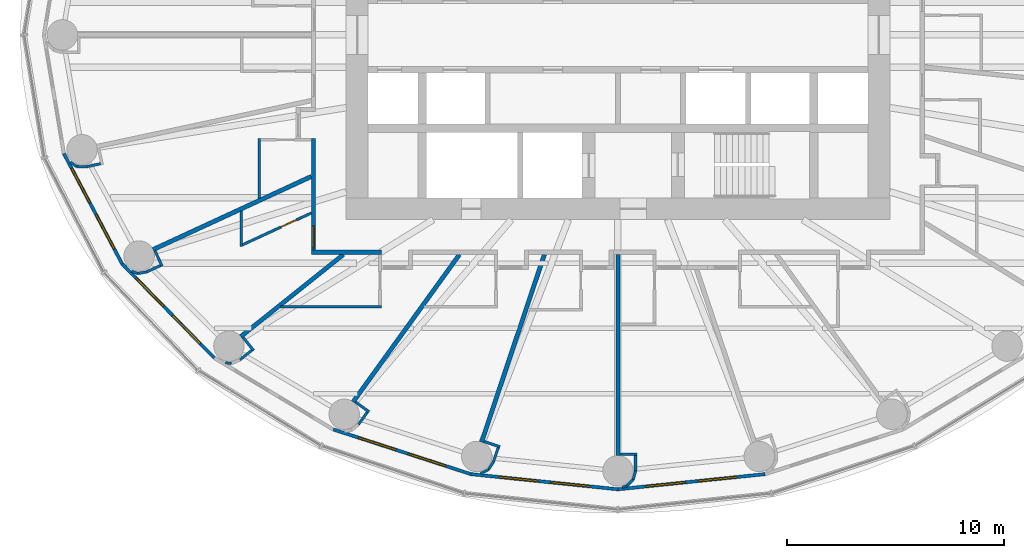
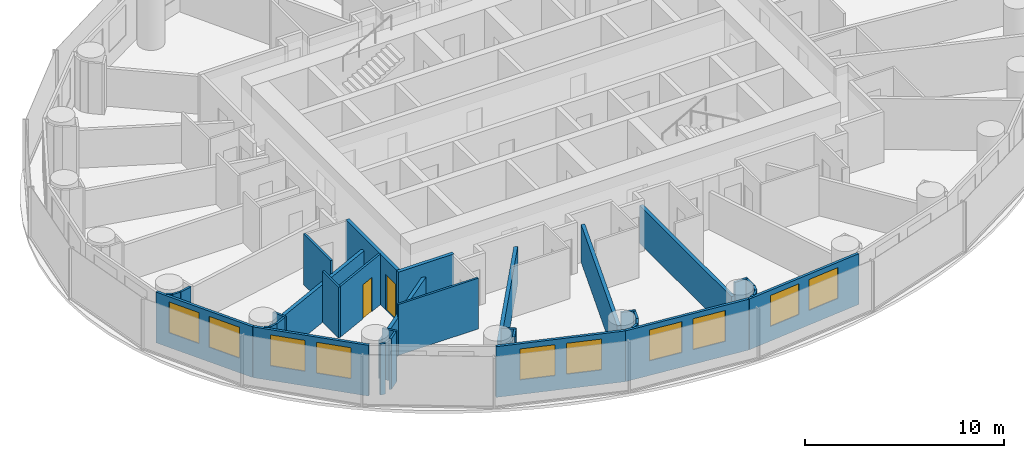
# One storey, part 6 of 14: 37 walls, 10 windows, 2 doors, 12 openings.
"""IFC4 building model written with IfcOpenShell, lengths in metres."""

import ifcopenshell
import ifcopenshell.guid

model = None  # the IFC model being written
_history = None  # IfcOwnerHistory: only IFC2X3 demands one
_inside = {}  # id of a spatial element -> (the spatial element, [elements in it])
_under = {}  # id of a project, library or spatial element -> (it, [spatial elements below it])
_declared = {}  # id of a project -> (the project, [libraries it declares])
_typed = {}  # id of a type object -> (the type object, [elements of that type])
_made_of = {}  # id of a material, layer set ... -> (it, [elements and type objects made of it])


def new_model(schema):
    """Start an empty IFC model of exactly this schema.

    Asked for "IFC4X3", IfcOpenShell would pick the latest addendum, in which some entities
    have other attributes; the version numbers below select the first issue.
    IFC2X3 requires an IfcOwnerHistory on every rooted entity: one is made here for all.
    """
    global model, _history
    if schema == "IFC4X3":
        model = ifcopenshell.file(schema_version=(4, 3, 0, 0))
    else:
        model = ifcopenshell.file(schema=schema)
    _inside.clear()
    _under.clear()
    _declared.clear()
    _typed.clear()
    _made_of.clear()
    _history = None
    if model.schema == "IFC2X3":
        org = make("IfcOrganization", Name="unknown")
        user = make(
            "IfcPersonAndOrganization",
            ThePerson=make("IfcPerson", FamilyName="unknown"),
            TheOrganization=org,
        )
        app = make(
            "IfcApplication",
            ApplicationDeveloper=org,
            Version="unknown",
            ApplicationFullName="unknown",
            ApplicationIdentifier="unknown",
        )
        _history = make(
            "IfcOwnerHistory",
            OwningUser=user,
            OwningApplication=app,
            ChangeAction="ADDED",
            CreationDate=0,
        )
    return model


def make(cls, **values):
    """One entity of the class cls with the attributes given. An attribute that is None is left unset."""
    return model.create_entity(
        cls, **{name: value for name, value in values.items() if value is not None}
    )


def rooted(cls, **values):
    """An entity with a GlobalId (a new one), such as an element, a storey or a relation."""
    return make(cls, GlobalId=ifcopenshell.guid.new(), OwnerHistory=_history, **values)


def si_unit(unit_type, name, prefix=None):
    """IfcSIUnit, for example si_unit("LENGTHUNIT", "METRE", prefix="MILLI")."""
    return make("IfcSIUnit", UnitType=unit_type, Prefix=prefix, Name=name)


def assignment(units):
    """IfcUnitAssignment: the units of a project."""
    return None if units is None else make("IfcUnitAssignment", Units=units)


def point(xyz):
    """IfcCartesianPoint."""
    return None if xyz is None else make("IfcCartesianPoint", Coordinates=xyz)


def direction(xyz):
    """IfcDirection."""
    return None if xyz is None else make("IfcDirection", DirectionRatios=xyz)


def frame(location, z_axis=None, x_axis=None):
    """IfcAxis2Placement3D, a coordinate frame: its origin and axes. An axis left out is left unset."""
    return make(
        "IfcAxis2Placement3D",
        Location=point(location),
        Axis=direction(z_axis),
        RefDirection=direction(x_axis),
    )


def frame_2d(location, x_axis=None):
    """IfcAxis2Placement2D, a coordinate frame in the plane: its origin and x axis."""
    return make(
        "IfcAxis2Placement2D", Location=point(location), RefDirection=direction(x_axis)
    )


def origin():
    """The frame at (0, 0, 0) with its axes left unset."""
    return frame((0.0, 0.0, 0.0))


def place(relative_to, where):
    """IfcLocalPlacement: puts the frame where relative to a parent placement (None: the world)."""
    return make(
        "IfcLocalPlacement", PlacementRelTo=relative_to, RelativePlacement=where
    )


def context(
    kind, dimensions, precision=None, world=None, true_north=None, identifier=None
):
    """IfcGeometricRepresentationContext, for example the 3D "Model" context."""
    return make(
        "IfcGeometricRepresentationContext",
        ContextIdentifier=identifier,
        ContextType=kind,
        CoordinateSpaceDimension=dimensions,
        Precision=precision,
        WorldCoordinateSystem=world,
        TrueNorth=true_north,
    )


def subcontext(parent, identifier, kind, view, scale=None):
    """IfcGeometricRepresentationSubContext, for example "Body" below "Model"."""
    return make(
        "IfcGeometricRepresentationSubContext",
        ContextIdentifier=identifier,
        ContextType=kind,
        ParentContext=parent,
        TargetScale=scale,
        TargetView=view,
    )


def project(units=None, contexts=None):
    """IfcProject with its units and contexts."""
    return rooted(
        "IfcProject",
        Name="project",
        RepresentationContexts=contexts,
        UnitsInContext=assignment(units),
    )


def spatial(cls, under=None, at=None, **own):
    """A site, building, storey or space (cls), placed at a placement, below another one or the project."""
    s = rooted(cls, ObjectPlacement=at, **own)
    if under is not None:
        _under.setdefault(under.id(), (under, []))[1].append(s)
    return s


def profile(cls, at=None, kind="AREA", **sizes):
    """A parametric profile (cls). Its sizes go by their IFC names, for example OverallWidth=200.0."""
    return make(cls, ProfileType=kind, Position=at, **sizes)


def rectangle(**sizes):
    """IfcRectangleProfileDef."""
    return profile("IfcRectangleProfileDef", **sizes)


def extrude(swept, where, along, depth):
    """IfcExtrudedAreaSolid: the profile swept, set in the frame where, extruded along a direction by depth."""
    return make(
        "IfcExtrudedAreaSolid",
        SweptArea=swept,
        Position=where,
        ExtrudedDirection=direction(along),
        Depth=depth,
    )


def shape(context_of_items, identifier, shape_type, items):
    """IfcShapeRepresentation: the items that make up one representation, for example the "Body"."""
    return make(
        "IfcShapeRepresentation",
        ContextOfItems=context_of_items,
        RepresentationIdentifier=identifier,
        RepresentationType=shape_type,
        Items=items,
    )


def material(Name=None, Category=None):
    """IfcMaterial."""
    return make("IfcMaterial", Name=Name, Category=Category)


def layer(
    of_material, thickness, ventilated=None, Name=None, Category=None, Priority=None
):
    """IfcMaterialLayer: one layer of a wall or slab, of a material (None: an air gap)."""
    return make(
        "IfcMaterialLayer",
        Material=of_material,
        LayerThickness=thickness,
        IsVentilated=ventilated,
        Name=Name,
        Category=Category,
        Priority=Priority,
    )


def layer_set(layers, Name=None):
    """IfcMaterialLayerSet."""
    return make("IfcMaterialLayerSet", MaterialLayers=layers, LayerSetName=Name)


def made_of(thing, what):
    """Note that an element or type object is made of a material, layer set ...; save() writes the relation."""
    if what is not None:
        _made_of.setdefault(what.id(), (what, []))[1].append(thing)
    return thing


def type_object(cls, material=None, **own):
    """A type object (cls), such as IfcWallType, which elements share."""
    return made_of(rooted(cls, **own), material)


def element(
    cls,
    number,
    at=None,
    inside=None,
    cuts=None,
    type_object=None,
    material=None,
    context=None,
    identifier="Body",
    shape_type=None,
    held_by="IfcProductDefinitionShape",
    body=None,
    shapes=None,
    **own,
):
    """One element of the class cls, such as IfcWall. Its Tag is "e" and its number.

    at: its placement. inside: the storey or other place that contains it. cuts: it is an
    opening in that element (IfcRelVoidsElement). A single representation is given by context,
    identifier, shape_type and body (its items); several are given by shapes. held_by: the class
    of the entity that holds the representations. save() writes the other relations.
    """
    e = rooted(cls, Tag="e%d" % number, ObjectPlacement=at, **own)
    if body is not None:
        shapes = [shape(context, identifier, shape_type, body)]
    if shapes is not None:
        e.Representation = make(held_by, Representations=shapes)
    if inside is not None:
        _inside.setdefault(inside.id(), (inside, []))[1].append(e)
    if cuts is not None:
        rooted(
            "IfcRelVoidsElement", RelatingBuildingElement=cuts, RelatedOpeningElement=e
        )
    if type_object is not None:
        _typed.setdefault(type_object.id(), (type_object, []))[1].append(e)
    return made_of(e, material)


def fill(opening, filler):
    """IfcRelFillsElement: the door or window that sits in an opening."""
    return rooted(
        "IfcRelFillsElement",
        RelatingOpeningElement=opening,
        RelatedBuildingElement=filler,
    )


def aggregate(whole, parts):
    """IfcRelAggregates: a whole, such as a stair, and the parts it consists of."""
    return rooted("IfcRelAggregates", RelatingObject=whole, RelatedObjects=parts)


def save(model, path):
    """Write the relations noted so far, then the file.

    IfcRelAggregates (storeys below a building ...), IfcRelContainedInSpatialStructure (elements
    in a storey), IfcRelDefinesByType, IfcRelAssociatesMaterial and IfcRelDeclares: one each for
    every whole, place, type object, material and project.
    """
    for whole, parts in _under.values():
        aggregate(whole, parts)
    for where, things in _inside.values():
        rooted(
            "IfcRelContainedInSpatialStructure",
            RelatedElements=things,
            RelatingStructure=where,
        )
    for kind, things in _typed.values():
        rooted("IfcRelDefinesByType", RelatedObjects=things, RelatingType=kind)
    for what, things in _made_of.values():
        rooted("IfcRelAssociatesMaterial", RelatedObjects=things, RelatingMaterial=what)
    for by, libraries in _declared.values():
        rooted("IfcRelDeclares", RelatingContext=by, RelatedDefinitions=libraries)
    model.write(path)


model = new_model("IFC4")

# Units and contexts
model_context = context("Model", 3, precision=1e-05, world=origin(), true_north=direction((0.0, 1.0)))
body_context = subcontext(model_context, "Body", "Model", "MODEL_VIEW")
ifc_project = project(units=[si_unit("LENGTHUNIT", "METRE"), si_unit("AREAUNIT", "SQUARE_METRE"), si_unit("VOLUMEUNIT", "CUBIC_METRE"), si_unit("PLANEANGLEUNIT", "RADIAN"), si_unit("MASSUNIT", "GRAM", prefix="KILO")], contexts=[model_context])

# Site, building, storey
site_placement = place(None, origin())
site = spatial("IfcSite", under=ifc_project, at=site_placement, CompositionType="ELEMENT")
building_placement = place(site_placement, origin())
building = spatial("IfcBuilding", under=site, at=building_placement, Name="Hankou Lantern Tower", CompositionType="ELEMENT")
storey_placement = place(building_placement, frame((0.0, 0.0, 54.0)))
storey = spatial("IfcBuildingStorey", under=building, at=storey_placement, Name="L12", CompositionType="ELEMENT", Elevation=54.0)

# Wall, openings, windows
ifc_material_1 = material(Name="Aluminium spandrel panel on steel studs", Category="steel")
ifc_layer_1 = layer(ifc_material_1, 0.14990234375)
ifc_layer_set_1 = layer_set([ifc_layer_1], Name="Aluminium spandrel panel on steel studs")
wall_type_1 = type_object("IfcWallType", Name="EW1 INNER SKIN WALL 150", PredefinedType="ELEMENTEDWALL", material=ifc_layer_set_1)
wall_1_placement = place(storey_placement, frame((-25.482421875, -5.46240234375, 0.0), z_axis=(0.0, 0.0, 1.0), x_axis=(0.467296867008, -0.884100468321, 0.0)))
wall_1 = element("IfcWall", 1, at=wall_1_placement, inside=storey, type_object=wall_type_1, Name="Inner skin R14-R15 L12", PredefinedType="ELEMENTEDWALL", context=body_context, shape_type="SweptSolid", body=[
    extrude(rectangle(XDim=5.734375, YDim=0.14990234375, at=frame_2d((2.8671875, 0.0))), origin(), (0.0, 0.0, 1.0), 3.1201171875),
])
opening_1_placement = place(wall_1_placement, frame((0.76708984375, 0.0, 0.89990234375)))
opening_1 = element("IfcOpeningElement", 2, at=opening_1_placement, cuts=wall_1, Name="Opening W1", PredefinedType="OPENING", context=body_context, shape_type="SweptSolid", body=[
    extrude(rectangle(XDim=1.800048828125, YDim=1.89990234375, at=frame_2d((0.89990234375, 0.949951171875))), frame((0.0, 0.0849609375, 0.0), z_axis=(0.0, -1.0, 0.0), x_axis=(1.0, 0.0, 0.0)), (0.0, 0.0, 1.0), 0.169921875),
])
opening_2_placement = place(wall_1_placement, frame((3.167236328125, 0.0, 0.89990234375)))
opening_2 = element("IfcOpeningElement", 3, at=opening_2_placement, cuts=wall_1, Name="Opening W1", PredefinedType="OPENING", context=body_context, shape_type="SweptSolid", body=[
    extrude(rectangle(XDim=1.800048828125, YDim=1.89990234375, at=frame_2d((0.89990234375, 0.949951171875))), frame((0.0, 0.0849609375, 0.0), z_axis=(0.0, -1.0, 0.0), x_axis=(1.0, 0.0, 0.0)), (0.0, 0.0, 1.0), 0.169921875),
])
ifc_material_2 = material(Name="Aluminium framed double glazed window", Category="aluminium")
window_type = type_object("IfcWindowType", Name="W1 GUEST ROOM WINDOW 1800X1900", PartitioningType="DOUBLE_PANEL_VERTICAL", PredefinedType="WINDOW", material=ifc_material_2)
window_1_placement = place(opening_1_placement, origin())
window_1 = element("IfcWindow", 4, at=window_1_placement, inside=storey, type_object=window_type, Name="Window R14.1 L12", OverallHeight=1.89990234375, OverallWidth=1.800048828125, PartitioningType="SINGLE_PANEL", PredefinedType="WINDOW", context=body_context, shape_type="SweptSolid", body=[
    extrude(rectangle(XDim=1.800048828125, YDim=1.89990234375, at=frame_2d((0.89990234375, 0.949951171875))), frame((0.0, 0.030029296875, 0.0), z_axis=(0.0, -1.0, 0.0), x_axis=(1.0, 0.0, 0.0)), (0.0, 0.0, 1.0), 0.06005859375),
])
fill(opening_1, window_1)
window_2_placement = place(opening_2_placement, origin())
window_2 = element("IfcWindow", 5, at=window_2_placement, inside=storey, type_object=window_type, Name="Window R14.2 L12", OverallHeight=1.89990234375, OverallWidth=1.800048828125, PartitioningType="SINGLE_PANEL", PredefinedType="WINDOW", context=body_context, shape_type="SweptSolid", body=[
    extrude(rectangle(XDim=1.800048828125, YDim=1.89990234375, at=frame_2d((0.89990234375, 0.949951171875))), frame((0.0, 0.030029296875, 0.0), z_axis=(0.0, -1.0, 0.0), x_axis=(1.0, 0.0, 0.0)), (0.0, 0.0, 1.0), 0.06005859375),
])
fill(opening_2, window_2)

wall_2_placement = place(storey_placement, frame((-22.802734375, -10.5322265625, 0.0), z_axis=(0.0, 0.0, 1.0), x_axis=(0.699602905915, -0.714531856557, 0.0)))
wall_2 = element("IfcWall", 6, at=wall_2_placement, inside=storey, type_object=wall_type_1, Name="Inner skin R15-R16 L12", PredefinedType="ELEMENTEDWALL", context=body_context, shape_type="SweptSolid", body=[
    extrude(rectangle(XDim=6.05078125, YDim=0.14990234375, at=frame_2d((3.025390625, 0.0))), origin(), (0.0, 0.0, 1.0), 3.1201171875),
])
opening_3_placement = place(wall_2_placement, frame((0.925537109375, 0.0, 0.89990234375)))
opening_3 = element("IfcOpeningElement", 7, at=opening_3_placement, cuts=wall_2, Name="Opening W1", PredefinedType="OPENING", context=body_context, shape_type="SweptSolid", body=[
    extrude(rectangle(XDim=1.800048828125, YDim=1.89990234375, at=frame_2d((0.89990234375, 0.949951171875))), frame((0.0, 0.0849609375, 0.0), z_axis=(0.0, -1.0, 0.0), x_axis=(1.0, 0.0, 0.0)), (0.0, 0.0, 1.0), 0.169921875),
])
opening_4_placement = place(wall_2_placement, frame((3.325439453125, 0.0, 0.89990234375)))
opening_4 = element("IfcOpeningElement", 8, at=opening_4_placement, cuts=wall_2, Name="Opening W1", PredefinedType="OPENING", context=body_context, shape_type="SweptSolid", body=[
    extrude(rectangle(XDim=1.800048828125, YDim=1.89990234375, at=frame_2d((0.89990234375, 0.949951171875))), frame((0.0, 0.0849609375, 0.0), z_axis=(0.0, -1.0, 0.0), x_axis=(1.0, 0.0, 0.0)), (0.0, 0.0, 1.0), 0.169921875),
])
window_3_placement = place(opening_3_placement, origin())
window_3 = element("IfcWindow", 9, at=window_3_placement, inside=storey, type_object=window_type, Name="Window R15.1 L12", OverallHeight=1.89990234375, OverallWidth=1.800048828125, PartitioningType="SINGLE_PANEL", PredefinedType="WINDOW", context=body_context, shape_type="SweptSolid", body=[
    extrude(rectangle(XDim=1.800048828125, YDim=1.89990234375, at=frame_2d((0.89990234375, 0.949951171875))), frame((0.0, 0.030029296875, 0.0), z_axis=(0.0, -1.0, 0.0), x_axis=(1.0, 0.0, 0.0)), (0.0, 0.0, 1.0), 0.06005859375),
])
fill(opening_3, window_3)
window_4_placement = place(opening_4_placement, origin())
window_4 = element("IfcWindow", 10, at=window_4_placement, inside=storey, type_object=window_type, Name="Window R15.2 L12", OverallHeight=1.89990234375, OverallWidth=1.800048828125, PartitioningType="SINGLE_PANEL", PredefinedType="WINDOW", context=body_context, shape_type="SweptSolid", body=[
    extrude(rectangle(XDim=1.800048828125, YDim=1.89990234375, at=frame_2d((0.89990234375, 0.949951171875))), frame((0.0, 0.030029296875, 0.0), z_axis=(0.0, -1.0, 0.0), x_axis=(1.0, 0.0, 0.0)), (0.0, 0.0, 1.0), 0.06005859375),
])
fill(opening_4, window_4)

wall_3_placement = place(storey_placement, frame((-13.096435546875, -18.14697265625, 0.0), z_axis=(0.0, 0.0, 1.0), x_axis=(0.951137534625, -0.308767534285, 0.0)))
wall_3 = element("IfcWall", 11, at=wall_3_placement, inside=storey, type_object=wall_type_1, Name="Inner skin R17-R18 L12", PredefinedType="ELEMENTEDWALL", context=body_context, shape_type="SweptSolid", body=[
    extrude(rectangle(XDim=6.6552734375, YDim=0.14990234375, at=frame_2d((3.32763671875, 0.0))), origin(), (0.0, 0.0, 1.0), 3.1201171875),
])
opening_5_placement = place(wall_3_placement, frame((1.2275390625, 0.0, 0.89990234375)))
opening_5 = element("IfcOpeningElement", 12, at=opening_5_placement, cuts=wall_3, Name="Opening W1", PredefinedType="OPENING", context=body_context, shape_type="SweptSolid", body=[
    extrude(rectangle(XDim=1.800048828125, YDim=1.89990234375, at=frame_2d((0.89990234375, 0.949951171875))), frame((0.0, 0.0849609375, 0.0), z_axis=(0.0, -1.0, 0.0), x_axis=(1.0, 0.0, 0.0)), (0.0, 0.0, 1.0), 0.169921875),
])
opening_6_placement = place(wall_3_placement, frame((3.627685546875, 0.0, 0.89990234375)))
opening_6 = element("IfcOpeningElement", 13, at=opening_6_placement, cuts=wall_3, Name="Opening W1", PredefinedType="OPENING", context=body_context, shape_type="SweptSolid", body=[
    extrude(rectangle(XDim=1.800048828125, YDim=1.89990234375, at=frame_2d((0.89990234375, 0.949951171875))), frame((0.0, 0.0849609375, 0.0), z_axis=(0.0, -1.0, 0.0), x_axis=(1.0, 0.0, 0.0)), (0.0, 0.0, 1.0), 0.169921875),
])
window_5_placement = place(opening_5_placement, origin())
window_5 = element("IfcWindow", 14, at=window_5_placement, inside=storey, type_object=window_type, Name="Window R17.1 L12", OverallHeight=1.89990234375, OverallWidth=1.800048828125, PartitioningType="SINGLE_PANEL", PredefinedType="WINDOW", context=body_context, shape_type="SweptSolid", body=[
    extrude(rectangle(XDim=1.800048828125, YDim=1.89990234375, at=frame_2d((0.89990234375, 0.949951171875))), frame((0.0, 0.030029296875, 0.0), z_axis=(0.0, -1.0, 0.0), x_axis=(1.0, 0.0, 0.0)), (0.0, 0.0, 1.0), 0.06005859375),
])
fill(opening_5, window_5)
window_6_placement = place(opening_6_placement, origin())
window_6 = element("IfcWindow", 15, at=window_6_placement, inside=storey, type_object=window_type, Name="Window R17.2 L12", OverallHeight=1.89990234375, OverallWidth=1.800048828125, PartitioningType="SINGLE_PANEL", PredefinedType="WINDOW", context=body_context, shape_type="SweptSolid", body=[
    extrude(rectangle(XDim=1.800048828125, YDim=1.89990234375, at=frame_2d((0.89990234375, 0.949951171875))), frame((0.0, 0.030029296875, 0.0), z_axis=(0.0, -1.0, 0.0), x_axis=(1.0, 0.0, 0.0)), (0.0, 0.0, 1.0), 0.06005859375),
])
fill(opening_6, window_6)

wall_4_placement = place(storey_placement, frame((-6.766357421875, -20.201904296875, 0.0), z_axis=(0.0, 0.0, 1.0), x_axis=(0.994721394369, -0.102612609291, 0.0)))
wall_4 = element("IfcWall", 16, at=wall_4_placement, inside=storey, type_object=wall_type_1, Name="Inner skin R18-R19 L12", PredefinedType="ELEMENTEDWALL", context=body_context, shape_type="SweptSolid", body=[
    extrude(rectangle(XDim=6.80224609375, YDim=0.14990234375, at=frame_2d((3.401123046875, 0.0))), origin(), (0.0, 0.0, 1.0), 3.1201171875),
])
opening_7_placement = place(wall_4_placement, frame((1.301025390625, 0.0, 0.89990234375)))
opening_7 = element("IfcOpeningElement", 17, at=opening_7_placement, cuts=wall_4, Name="Opening W1", PredefinedType="OPENING", context=body_context, shape_type="SweptSolid", body=[
    extrude(rectangle(XDim=1.800048828125, YDim=1.89990234375, at=frame_2d((0.89990234375, 0.949951171875))), frame((0.0, 0.0849609375, 0.0), z_axis=(0.0, -1.0, 0.0), x_axis=(1.0, 0.0, 0.0)), (0.0, 0.0, 1.0), 0.169921875),
])
opening_8_placement = place(wall_4_placement, frame((3.701171875, 0.0, 0.89990234375)))
opening_8 = element("IfcOpeningElement", 18, at=opening_8_placement, cuts=wall_4, Name="Opening W1", PredefinedType="OPENING", context=body_context, shape_type="SweptSolid", body=[
    extrude(rectangle(XDim=1.800048828125, YDim=1.89990234375, at=frame_2d((0.89990234375, 0.949951171875))), frame((0.0, 0.0849609375, 0.0), z_axis=(0.0, -1.0, 0.0), x_axis=(1.0, 0.0, 0.0)), (0.0, 0.0, 1.0), 0.169921875),
])
window_7_placement = place(opening_7_placement, origin())
window_7 = element("IfcWindow", 19, at=window_7_placement, inside=storey, type_object=window_type, Name="Window R18.1 L12", OverallHeight=1.89990234375, OverallWidth=1.800048828125, PartitioningType="SINGLE_PANEL", PredefinedType="WINDOW", context=body_context, shape_type="SweptSolid", body=[
    extrude(rectangle(XDim=1.800048828125, YDim=1.89990234375, at=frame_2d((0.89990234375, 0.949951171875))), frame((0.0, 0.030029296875, 0.0), z_axis=(0.0, -1.0, 0.0), x_axis=(1.0, 0.0, 0.0)), (0.0, 0.0, 1.0), 0.06005859375),
])
fill(opening_7, window_7)
window_8_placement = place(opening_8_placement, origin())
window_8 = element("IfcWindow", 20, at=window_8_placement, inside=storey, type_object=window_type, Name="Window R18.2 L12", OverallHeight=1.89990234375, OverallWidth=1.800048828125, PartitioningType="SINGLE_PANEL", PredefinedType="WINDOW", context=body_context, shape_type="SweptSolid", body=[
    extrude(rectangle(XDim=1.800048828125, YDim=1.89990234375, at=frame_2d((0.89990234375, 0.949951171875))), frame((0.0, 0.030029296875, 0.0), z_axis=(0.0, -1.0, 0.0), x_axis=(1.0, 0.0, 0.0)), (0.0, 0.0, 1.0), 0.06005859375),
])
fill(opening_8, window_8)

wall_5_placement = place(storey_placement, frame((0.0, -20.89990234375, 0.0), z_axis=(0.0, 0.0, 1.0), x_axis=(0.994721394369, 0.102612609291, 0.0)))
wall_5 = element("IfcWall", 21, at=wall_5_placement, inside=storey, type_object=wall_type_1, Name="Inner skin R19-R20 L12", PredefinedType="ELEMENTEDWALL", context=body_context, shape_type="SweptSolid", body=[
    extrude(rectangle(XDim=6.80224609375, YDim=0.14990234375, at=frame_2d((3.401123046875, 0.0))), origin(), (0.0, 0.0, 1.0), 3.1201171875),
])
opening_9_placement = place(wall_5_placement, frame((1.301025390625, 0.0, 0.89990234375)))
opening_9 = element("IfcOpeningElement", 22, at=opening_9_placement, cuts=wall_5, Name="Opening W1", PredefinedType="OPENING", context=body_context, shape_type="SweptSolid", body=[
    extrude(rectangle(XDim=1.800048828125, YDim=1.89990234375, at=frame_2d((0.89990234375, 0.949951171875))), frame((0.0, 0.0849609375, 0.0), z_axis=(0.0, -1.0, 0.0), x_axis=(1.0, 0.0, 0.0)), (0.0, 0.0, 1.0), 0.169921875),
])
opening_10_placement = place(wall_5_placement, frame((3.701171875, 0.0, 0.89990234375)))
opening_10 = element("IfcOpeningElement", 23, at=opening_10_placement, cuts=wall_5, Name="Opening W1", PredefinedType="OPENING", context=body_context, shape_type="SweptSolid", body=[
    extrude(rectangle(XDim=1.800048828125, YDim=1.89990234375, at=frame_2d((0.89990234375, 0.949951171875))), frame((0.0, 0.0849609375, 0.0), z_axis=(0.0, -1.0, 0.0), x_axis=(1.0, 0.0, 0.0)), (0.0, 0.0, 1.0), 0.169921875),
])
window_9_placement = place(opening_9_placement, origin())
window_9 = element("IfcWindow", 24, at=window_9_placement, inside=storey, type_object=window_type, Name="Window R19.1 L12", OverallHeight=1.89990234375, OverallWidth=1.800048828125, PartitioningType="SINGLE_PANEL", PredefinedType="WINDOW", context=body_context, shape_type="SweptSolid", body=[
    extrude(rectangle(XDim=1.800048828125, YDim=1.89990234375, at=frame_2d((0.89990234375, 0.949951171875))), frame((0.0, 0.030029296875, 0.0), z_axis=(0.0, -1.0, 0.0), x_axis=(1.0, 0.0, 0.0)), (0.0, 0.0, 1.0), 0.06005859375),
])
fill(opening_9, window_9)
window_10_placement = place(opening_10_placement, origin())
window_10 = element("IfcWindow", 25, at=window_10_placement, inside=storey, type_object=window_type, Name="Window R19.2 L12", OverallHeight=1.89990234375, OverallWidth=1.800048828125, PartitioningType="SINGLE_PANEL", PredefinedType="WINDOW", context=body_context, shape_type="SweptSolid", body=[
    extrude(rectangle(XDim=1.800048828125, YDim=1.89990234375, at=frame_2d((0.89990234375, 0.949951171875))), frame((0.0, 0.030029296875, 0.0), z_axis=(0.0, -1.0, 0.0), x_axis=(1.0, 0.0, 0.0)), (0.0, 0.0, 1.0), 0.06005859375),
])
fill(opening_10, window_10)

# Walls
ifc_material_3 = material(Name="Masonry lightweight concrete block", Category="masonry")
ifc_layer_2 = layer(ifc_material_3, 0.199951171875)
ifc_layer_set_2 = layer_set([ifc_layer_2], Name="Masonry lightweight concrete block")
wall_type_2 = type_object("IfcWallType", Name="IW1 GUEST ROOM PARTY WALL 200", PredefinedType="PARTITIONING", material=ifc_layer_set_2)
wall_6_placement = place(storey_placement, frame((-14.10009765625, -6.512451171875, 0.0), z_axis=(0.0, 0.0, 1.0), x_axis=(-0.907832871056, -0.419332181247, 0.0)))
element("IfcWall", 26, at=wall_6_placement, inside=storey, type_object=wall_type_2, Name="Party wall R15", PredefinedType="PARTITIONING", context=body_context, shape_type="SweptSolid", body=[
    extrude(rectangle(XDim=8.02294921875, YDim=0.199951171875, at=frame_2d((4.011474609375, 0.0))), origin(), (0.0, 0.0, 1.0), 2.320068359375),
])
wall_7_placement = place(storey_placement, frame((-12.625, -10.10009765625, 0.0), z_axis=(0.0, 0.0, 1.0), x_axis=(-0.780892451574, -0.624665493744, 0.0)))
element("IfcWall", 27, at=wall_7_placement, inside=storey, type_object=wall_type_2, Name="Party wall R16", PredefinedType="PARTITIONING", context=body_context, shape_type="SweptSolid", body=[
    extrude(rectangle(XDim=6.044677734375, YDim=0.199951171875, at=frame_2d((3.0224609375, 0.0))), origin(), (0.0, 0.0, 1.0), 2.320068359375),
])
wall_8_placement = place(storey_placement, frame((-7.2890625, -10.10009765625, 0.0), z_axis=(0.0, 0.0, 1.0), x_axis=(-0.585198353053, -0.810890182197, 0.0)))
element("IfcWall", 28, at=wall_8_placement, inside=storey, type_object=wall_type_2, Name="Party wall R17", PredefinedType="PARTITIONING", context=body_context, shape_type="SweptSolid", body=[
    extrude(rectangle(XDim=8.359619140625, YDim=0.199951171875, at=frame_2d((4.1796875, 0.0))), origin(), (0.0, 0.0, 1.0), 2.320068359375),
])
wall_9_placement = place(storey_placement, frame((-3.3828125, -10.10009765625, 0.0), z_axis=(0.0, 0.0, 1.0), x_axis=(-0.31759592231, -0.948226149256, 0.0)))
element("IfcWall", 29, at=wall_9_placement, inside=storey, type_object=wall_type_2, Name="Party wall R18", PredefinedType="PARTITIONING", context=body_context, shape_type="SweptSolid", body=[
    extrude(rectangle(XDim=9.098388671875, YDim=0.199951171875, at=frame_2d((4.54931640625, 0.0))), origin(), (0.0, 0.0, 1.0), 2.320068359375),
])
wall_10_placement = place(storey_placement, frame((0.0, -10.10009765625, 0.0), z_axis=(0.0, 0.0, 1.0), x_axis=(0.0, -1.0, 0.0)))
element("IfcWall", 30, at=wall_10_placement, inside=storey, type_object=wall_type_2, Name="Party wall R19", PredefinedType="PARTITIONING", context=body_context, shape_type="SweptSolid", body=[
    extrude(rectangle(XDim=9.25, YDim=0.199951171875, at=frame_2d((4.625, 0.0))), origin(), (0.0, 0.0, 1.0), 2.320068359375),
])

# Wall, opening, door
ifc_material_4 = material(Name="Masonry lightweight concrete block", Category="masonry")
ifc_layer_3 = layer(ifc_material_4, 0.199951171875)
ifc_layer_set_3 = layer_set([ifc_layer_3], Name="Masonry lightweight concrete block")
wall_type_3 = type_object("IfcWallType", Name="IW2 CORRIDOR WALL 200", PredefinedType="PARTITIONING", material=ifc_layer_set_3)
wall_11_placement = place(storey_placement, frame((-14.0, -4.7724609375, 0.0), z_axis=(0.0, 0.0, 1.0), x_axis=(0.0, -1.0, 0.0)))
wall_11 = element("IfcWall", 31, at=wall_11_placement, inside=storey, type_object=wall_type_3, Name="Corridor wall west", PredefinedType="PARTITIONING", context=body_context, shape_type="SweptSolid", body=[
    extrude(rectangle(XDim=5.12744140625, YDim=0.199951171875, at=frame_2d((2.563720703125, 0.0))), origin(), (0.0, 0.0, 1.0), 3.1201171875),
])
opening_11_placement = place(wall_11_placement, frame((4.02490234375, 0.0, 0.0)))
opening_11 = element("IfcOpeningElement", 32, at=opening_11_placement, cuts=wall_11, Name="Opening D1", PredefinedType="OPENING", context=body_context, shape_type="SweptSolid", body=[
    extrude(rectangle(XDim=1.0, YDim=2.199951171875, at=frame_2d((0.5, 1.10009765625))), frame((0.0, 0.10986328125, 0.0), z_axis=(0.0, -1.0, 0.0), x_axis=(1.0, 0.0, 0.0)), (0.0, 0.0, 1.0), 0.219970703125),
])
ifc_material_5 = material(Name="Steel door leaf", Category="steel")
door_type_1 = type_object("IfcDoorType", Name="D1 GUEST ROOM DOOR 1000X2200", OperationType="SINGLE_SWING_LEFT", PredefinedType="DOOR", material=ifc_material_5)
door_1_placement = place(opening_11_placement, origin())
door_1 = element("IfcDoor", 33, at=door_1_placement, inside=storey, type_object=door_type_1, Name="Guest room door 1211", OperationType="SINGLE_SWING_RIGHT", OverallHeight=2.199951171875, OverallWidth=1.0, PredefinedType="DOOR", context=body_context, shape_type="SweptSolid", body=[
    extrude(rectangle(XDim=1.0, YDim=2.199951171875, at=frame_2d((0.5, 1.10009765625))), frame((0.0, 0.02490234375, 0.0), z_axis=(0.0, -1.0, 0.0), x_axis=(1.0, 0.0, 0.0)), (0.0, 0.0, 1.0), 0.050048828125),
])
fill(opening_11, door_1)

# Walls
wall_12_placement = place(storey_placement, frame((-10.885009765625, -10.0, 0.0), z_axis=(0.0, 0.0, 1.0), x_axis=(-1.0, 0.0, 0.0)))
element("IfcWall", 34, at=wall_12_placement, inside=storey, type_object=wall_type_3, Name="Corridor wall south", PredefinedType="PARTITIONING", context=body_context, shape_type="SweptSolid", body=[
    extrude(rectangle(XDim=3.215087890625, YDim=0.199951171875, at=frame_2d((1.607421875, 0.0))), origin(), (0.0, 0.0, 1.0), 3.1201171875),
])
ifc_material_6 = material(Name="Masonry lightweight concrete block", Category="masonry")
ifc_layer_4 = layer(ifc_material_6, 0.1201171875)
ifc_layer_set_4 = layer_set([ifc_layer_4], Name="Masonry lightweight concrete block")
wall_type_4 = type_object("IfcWallType", Name="IW3 BATHROOM WALL 120", PredefinedType="PARTITIONING", material=ifc_layer_set_4)
wall_13_placement = place(storey_placement, frame((-16.5, -7.52099609375, 0.0), z_axis=(0.0, 0.0, 1.0), x_axis=(0.0, 1.0, 0.0)))
element("IfcWall", 35, at=wall_13_placement, inside=storey, type_object=wall_type_4, Name="Box wall 1210 1", PredefinedType="PARTITIONING", context=body_context, shape_type="SweptSolid", body=[
    extrude(rectangle(XDim=2.74853515625, YDim=0.1201171875, at=frame_2d((1.374267578125, 0.0))), origin(), (0.0, 0.0, 1.0), 3.1201171875),
])
wall_14_placement = place(storey_placement, frame((-17.32275390625, -8.10107421875, 0.0), z_axis=(0.0, 0.0, 1.0), x_axis=(0.0, -1.0, 0.0)))
element("IfcWall", 36, at=wall_14_placement, inside=storey, type_object=wall_type_4, Name="Box wall 1211 1", PredefinedType="PARTITIONING", context=body_context, shape_type="SweptSolid", body=[
    extrude(rectangle(XDim=1.639892578125, YDim=0.1201171875, at=frame_2d((0.81982421875, 0.0))), origin(), (0.0, 0.0, 1.0), 3.1201171875),
])

# Wall, opening, door
wall_15_placement = place(storey_placement, frame((-14.10009765625, -8.192626953125, 0.0), z_axis=(0.0, 0.0, 1.0), x_axis=(-0.907836493557, -0.419324338628, 0.0)))
wall_15 = element("IfcWall", 37, at=wall_15_placement, inside=storey, type_object=wall_type_4, Name="Box wall 1211 1", PredefinedType="PARTITIONING", context=body_context, shape_type="SweptSolid", body=[
    extrude(rectangle(XDim=3.48974609375, YDim=0.1201171875, at=frame_2d((1.744873046875, 0.0))), origin(), (0.0, 0.0, 1.0), 3.1201171875),
])
opening_12_placement = place(wall_15_placement, frame((0.75, 0.0, 0.0)))
opening_12 = element("IfcOpeningElement", 38, at=opening_12_placement, cuts=wall_15, Name="Opening D3", PredefinedType="OPENING", context=body_context, shape_type="SweptSolid", body=[
    extrude(rectangle(XDim=0.800048828125, YDim=2.10009765625, at=frame_2d((0.39990234375, 1.050048828125))), frame((0.0, 0.070068359375, 0.0), z_axis=(0.0, -1.0, 0.0), x_axis=(1.0, 0.0, 0.0)), (0.0, 0.0, 1.0), 0.14013671875),
])
ifc_material_7 = material(Name="Timber door leaf", Category="wood")
door_type_2 = type_object("IfcDoorType", Name="D3 BATHROOM DOOR 800X2100", OperationType="SINGLE_SWING_LEFT", PredefinedType="DOOR", material=ifc_material_7)
door_2_placement = place(opening_12_placement, origin())
door_2 = element("IfcDoor", 39, at=door_2_placement, inside=storey, type_object=door_type_2, Name="En-suite bathroom 1211 door", OperationType="SINGLE_SWING_LEFT", OverallHeight=2.10009765625, OverallWidth=0.800048828125, PredefinedType="DOOR", context=body_context, shape_type="SweptSolid", body=[
    extrude(rectangle(XDim=0.800048828125, YDim=2.10009765625, at=frame_2d((0.39990234375, 1.050048828125))), frame((0.0, 0.02490234375, 0.0), z_axis=(0.0, -1.0, 0.0), x_axis=(1.0, 0.0, 0.0)), (0.0, 0.0, 1.0), 0.050048828125),
])
fill(opening_12, door_2)

# Walls
wall_16_placement = place(storey_placement, frame((-15.52490234375, -12.5, 0.0), z_axis=(0.0, 0.0, 1.0), x_axis=(1.0, 0.0, 0.0)))
element("IfcWall", 40, at=wall_16_placement, inside=storey, type_object=wall_type_4, Name="Box wall 1212 1", PredefinedType="PARTITIONING", context=body_context, shape_type="SweptSolid", body=[
    extrude(rectangle(XDim=4.639892578125, YDim=0.1201171875, at=frame_2d((2.31982421875, 0.0))), origin(), (0.0, 0.0, 1.0), 3.1201171875),
])
ifc_material_8 = material(Name="Masonry lightweight concrete block", Category="masonry")
ifc_layer_5 = layer(ifc_material_8, 0.1201171875)
ifc_layer_set_5 = layer_set([ifc_layer_5], Name="Masonry lightweight concrete block")
wall_type_5 = type_object("IfcWallType", Name="IW4 PARTITION 120", PredefinedType="PARTITIONING", material=ifc_layer_set_5)
wall_17_placement = place(storey_placement, frame((-23.793212890625, -5.92626953125, 0.0), z_axis=(0.0, 0.0, 1.0), x_axis=(-0.977792206673, -0.209576717621, 0.0)))
element("IfcWall", 41, at=wall_17_placement, inside=storey, type_object=wall_type_5, Name="Column casing R14", PredefinedType="PARTITIONING", context=body_context, shape_type="SweptSolid", body=[
    extrude(rectangle(XDim=0.7001953125, YDim=0.1201171875, at=frame_2d((0.35009765625, 0.0))), origin(), (0.0, 0.0, 1.0), 3.1201171875),
])
wall_18_placement = place(storey_placement, frame((-24.477783203125, -6.072998046875, 0.0), z_axis=(0.0, 0.0, 1.0), x_axis=(-0.998708262812, 0.05081147302, 0.0)))
element("IfcWall", 42, at=wall_18_placement, inside=storey, type_object=wall_type_5, Name="Column casing R14", PredefinedType="PARTITIONING", context=body_context, shape_type="SweptSolid", body=[
    extrude(rectangle(XDim=0.41796875, YDim=0.1201171875, at=frame_2d((0.208984375, 0.0))), origin(), (0.0, 0.0, 1.0), 3.1201171875),
])
wall_19_placement = place(storey_placement, frame((-24.895263671875, -6.0517578125, 0.0), z_axis=(0.0, 0.0, 1.0), x_axis=(-0.839495197275, 0.54336710772, 0.0)))
element("IfcWall", 43, at=wall_19_placement, inside=storey, type_object=wall_type_5, Name="Column casing R14", PredefinedType="PARTITIONING", context=body_context, shape_type="SweptSolid", body=[
    extrude(rectangle(XDim=0.349609375, YDim=0.1201171875, at=frame_2d((0.1748046875, 0.0))), origin(), (0.0, 0.0, 1.0), 3.1201171875),
])
wall_20_placement = place(storey_placement, frame((-21.287109375, -9.9423828125, 0.0), z_axis=(0.0, 0.0, 1.0), x_axis=(0.419259891039, -0.907866258744, 0.0)))
element("IfcWall", 44, at=wall_20_placement, inside=storey, type_object=wall_type_5, Name="Column casing R15 return", PredefinedType="PARTITIONING", context=body_context, shape_type="SweptSolid", body=[
    extrude(rectangle(XDim=0.767578125, YDim=0.1201171875, at=frame_2d((0.3837890625, 0.0))), origin(), (0.0, 0.0, 1.0), 3.1201171875),
])
wall_21_placement = place(storey_placement, frame((-21.044921875, -10.60986328125, 0.0), z_axis=(0.0, 0.0, 1.0), x_axis=(-0.907877701396, -0.419235112208, 0.0)))
element("IfcWall", 45, at=wall_21_placement, inside=storey, type_object=wall_type_5, Name="Column casing R15", PredefinedType="PARTITIONING", context=body_context, shape_type="SweptSolid", body=[
    extrude(rectangle(XDim=0.699951171875, YDim=0.1201171875, at=frame_2d((0.35009765625, 0.0))), origin(), (0.0, 0.0, 1.0), 3.1201171875),
])
wall_22_placement = place(storey_placement, frame((-21.680419921875, -10.9033203125, 0.0), z_axis=(0.0, 0.0, 1.0), x_axis=(-0.985446622073, -0.169985161247, 0.0)))
element("IfcWall", 46, at=wall_22_placement, inside=storey, type_object=wall_type_5, Name="Column casing R15", PredefinedType="PARTITIONING", context=body_context, shape_type="SweptSolid", body=[
    extrude(rectangle(XDim=0.41796875, YDim=0.1201171875, at=frame_2d((0.208984375, 0.0))), origin(), (0.0, 0.0, 1.0), 3.1201171875),
])
wall_23_placement = place(storey_placement, frame((-22.09228515625, -10.974365234375, 0.0), z_axis=(0.0, 0.0, 1.0), x_axis=(-0.938428160676, 0.345474437912, 0.0)))
element("IfcWall", 47, at=wall_23_placement, inside=storey, type_object=wall_type_5, Name="Column casing R15", PredefinedType="PARTITIONING", context=body_context, shape_type="SweptSolid", body=[
    extrude(rectangle(XDim=0.2939453125, YDim=0.1201171875, at=frame_2d((0.14697265625, 0.0))), origin(), (0.0, 0.0, 1.0), 3.1201171875),
])
wall_24_placement = place(storey_placement, frame((-17.23583984375, -13.916748046875, 0.0), z_axis=(0.0, 0.0, 1.0), x_axis=(0.624695047554, -0.780868809443, 0.0)))
element("IfcWall", 48, at=wall_24_placement, inside=storey, type_object=wall_type_5, Name="Column casing R16 return", PredefinedType="PARTITIONING", context=body_context, shape_type="SweptSolid", body=[
    extrude(rectangle(XDim=0.767578125, YDim=0.1201171875, at=frame_2d((0.3837890625, 0.0))), origin(), (0.0, 0.0, 1.0), 3.1201171875),
])
wall_25_placement = place(storey_placement, frame((-16.840576171875, -14.506591796875, 0.0), z_axis=(0.0, 0.0, 1.0), x_axis=(-0.780902834923, -0.62465251333, 0.0)))
element("IfcWall", 49, at=wall_25_placement, inside=storey, type_object=wall_type_5, Name="Column casing R16", PredefinedType="PARTITIONING", context=body_context, shape_type="SweptSolid", body=[
    extrude(rectangle(XDim=0.699951171875, YDim=0.1201171875, at=frame_2d((0.35009765625, 0.0))), origin(), (0.0, 0.0, 1.0), 3.1201171875),
])
wall_26_placement = place(storey_placement, frame((-17.770263671875, -15.111572265625, 0.0), z_axis=(0.0, 0.0, 1.0), x_axis=(-0.993904401174, 0.110245368731, 0.0)))
element("IfcWall", 50, at=wall_26_placement, inside=storey, type_object=wall_type_5, Name="Column casing R16", PredefinedType="PARTITIONING", context=body_context, shape_type="SweptSolid", body=[
    extrude(rectangle(XDim=0.287841796875, YDim=0.1201171875, at=frame_2d((0.14404296875, 0.0))), origin(), (0.0, 0.0, 1.0), 3.1201171875),
])
wall_27_placement = place(storey_placement, frame((-12.06494140625, -16.888671875, 0.0), z_axis=(0.0, 0.0, 1.0), x_axis=(0.810821798253, -0.585293098778, 0.0)))
element("IfcWall", 51, at=wall_27_placement, inside=storey, type_object=wall_type_5, Name="Column casing R17 return", PredefinedType="PARTITIONING", context=body_context, shape_type="SweptSolid", body=[
    extrude(rectangle(XDim=0.767578125, YDim=0.1201171875, at=frame_2d((0.3837890625, 0.0))), origin(), (0.0, 0.0, 1.0), 3.1201171875),
])
wall_28_placement = place(storey_placement, frame((-11.5263671875, -17.351318359375, 0.0), z_axis=(0.0, 0.0, 1.0), x_axis=(-0.585223113993, -0.810872312296, 0.0)))
element("IfcWall", 52, at=wall_28_placement, inside=storey, type_object=wall_type_5, Name="Column casing R17", PredefinedType="PARTITIONING", context=body_context, shape_type="SweptSolid", body=[
    extrude(rectangle(XDim=0.699951171875, YDim=0.1201171875, at=frame_2d((0.35009765625, 0.0))), origin(), (0.0, 0.0, 1.0), 3.1201171875),
])
wall_29_placement = place(storey_placement, frame((-6.15869140625, -18.702392578125, 0.0), z_axis=(0.0, 0.0, 1.0), x_axis=(0.948173154049, -0.31775410295, 0.0)))
element("IfcWall", 53, at=wall_29_placement, inside=storey, type_object=wall_type_5, Name="Column casing R18 return", PredefinedType="PARTITIONING", context=body_context, shape_type="SweptSolid", body=[
    extrude(rectangle(XDim=0.767578125, YDim=0.1201171875, at=frame_2d((0.3837890625, 0.0))), origin(), (0.0, 0.0, 1.0), 3.1201171875),
])
wall_30_placement = place(storey_placement, frame((-5.5068359375, -18.984130859375, 0.0), z_axis=(0.0, 0.0, 1.0), x_axis=(-0.317692050622, -0.948193946918, 0.0)))
element("IfcWall", 54, at=wall_30_placement, inside=storey, type_object=wall_type_5, Name="Column casing R18", PredefinedType="PARTITIONING", context=body_context, shape_type="SweptSolid", body=[
    extrude(rectangle(XDim=0.7001953125, YDim=0.1201171875, at=frame_2d((0.35009765625, 0.0))), origin(), (0.0, 0.0, 1.0), 3.1201171875),
])
wall_31_placement = place(storey_placement, frame((-5.729248046875, -19.64794921875, 0.0), z_axis=(0.0, 0.0, 1.0), x_axis=(-0.552135764955, -0.833754218615, 0.0)))
element("IfcWall", 55, at=wall_31_placement, inside=storey, type_object=wall_type_5, Name="Column casing R18", PredefinedType="PARTITIONING", context=body_context, shape_type="SweptSolid", body=[
    extrude(rectangle(XDim=0.41796875, YDim=0.1201171875, at=frame_2d((0.208984375, 0.0))), origin(), (0.0, 0.0, 1.0), 3.1201171875),
])
wall_32_placement = place(storey_placement, frame((-5.9599609375, -19.996337890625, 0.0), z_axis=(0.0, 0.0, 1.0), x_axis=(-0.895160725913, -0.445743507842, 0.0)))
element("IfcWall", 56, at=wall_32_placement, inside=storey, type_object=wall_type_5, Name="Column casing R18", PredefinedType="PARTITIONING", context=body_context, shape_type="SweptSolid", body=[
    extrude(rectangle(XDim=0.398681640625, YDim=0.1201171875, at=frame_2d((0.19921875, 0.0))), origin(), (0.0, 0.0, 1.0), 3.1201171875),
])
wall_33_placement = place(storey_placement, frame((0.10009765625, -19.2900390625, 0.0), z_axis=(0.0, 0.0, 1.0), x_axis=(1.0, 0.0, 0.0)))
element("IfcWall", 57, at=wall_33_placement, inside=storey, type_object=wall_type_5, Name="Column casing R19 return", PredefinedType="PARTITIONING", context=body_context, shape_type="SweptSolid", body=[
    extrude(rectangle(XDim=0.767333984375, YDim=0.1201171875, at=frame_2d((0.3837890625, 0.0))), origin(), (0.0, 0.0, 1.0), 3.1201171875),
])
wall_34_placement = place(storey_placement, frame((0.8076171875, -19.35009765625, 0.0), z_axis=(0.0, 0.0, 1.0), x_axis=(0.0, -1.0, 0.0)))
element("IfcWall", 58, at=wall_34_placement, inside=storey, type_object=wall_type_5, Name="Column casing R19", PredefinedType="PARTITIONING", context=body_context, shape_type="SweptSolid", body=[
    extrude(rectangle(XDim=0.699951171875, YDim=0.1201171875, at=frame_2d((0.35009765625, 0.0))), origin(), (0.0, 0.0, 1.0), 3.1201171875),
])
wall_35_placement = place(storey_placement, frame((0.8076171875, -20.050048828125, 0.0), z_axis=(0.0, 0.0, 1.0), x_axis=(-0.2592614205, -0.965807183573, 0.0)))
element("IfcWall", 59, at=wall_35_placement, inside=storey, type_object=wall_type_5, Name="Column casing R19", PredefinedType="PARTITIONING", context=body_context, shape_type="SweptSolid", body=[
    extrude(rectangle(XDim=0.418212890625, YDim=0.1201171875, at=frame_2d((0.208984375, 0.0))), origin(), (0.0, 0.0, 1.0), 3.1201171875),
])
wall_36_placement = place(storey_placement, frame((0.69921875, -20.453857421875, 0.0), z_axis=(0.0, 0.0, 1.0), x_axis=(-0.707106781187, -0.707106781187, 0.0)))
element("IfcWall", 60, at=wall_36_placement, inside=storey, type_object=wall_type_5, Name="Column casing R19", PredefinedType="PARTITIONING", context=body_context, shape_type="SweptSolid", body=[
    extrude(rectangle(XDim=0.417724609375, YDim=0.1201171875, at=frame_2d((0.208984375, 0.0))), origin(), (0.0, 0.0, 1.0), 3.1201171875),
])
wall_37_placement = place(storey_placement, frame((0.40380859375, -20.749267578125, 0.0), z_axis=(0.0, 0.0, 1.0), x_axis=(-0.965759066438, -0.25944060128, 0.0)))
element("IfcWall", 61, at=wall_37_placement, inside=storey, type_object=wall_type_5, Name="Column casing R19", PredefinedType="PARTITIONING", context=body_context, shape_type="SweptSolid", body=[
    extrude(rectangle(XDim=0.213623046875, YDim=0.1201171875, at=frame_2d((0.10693359375, 0.0))), origin(), (0.0, 0.0, 1.0), 3.1201171875),
])

save(model, "model.ifc")
